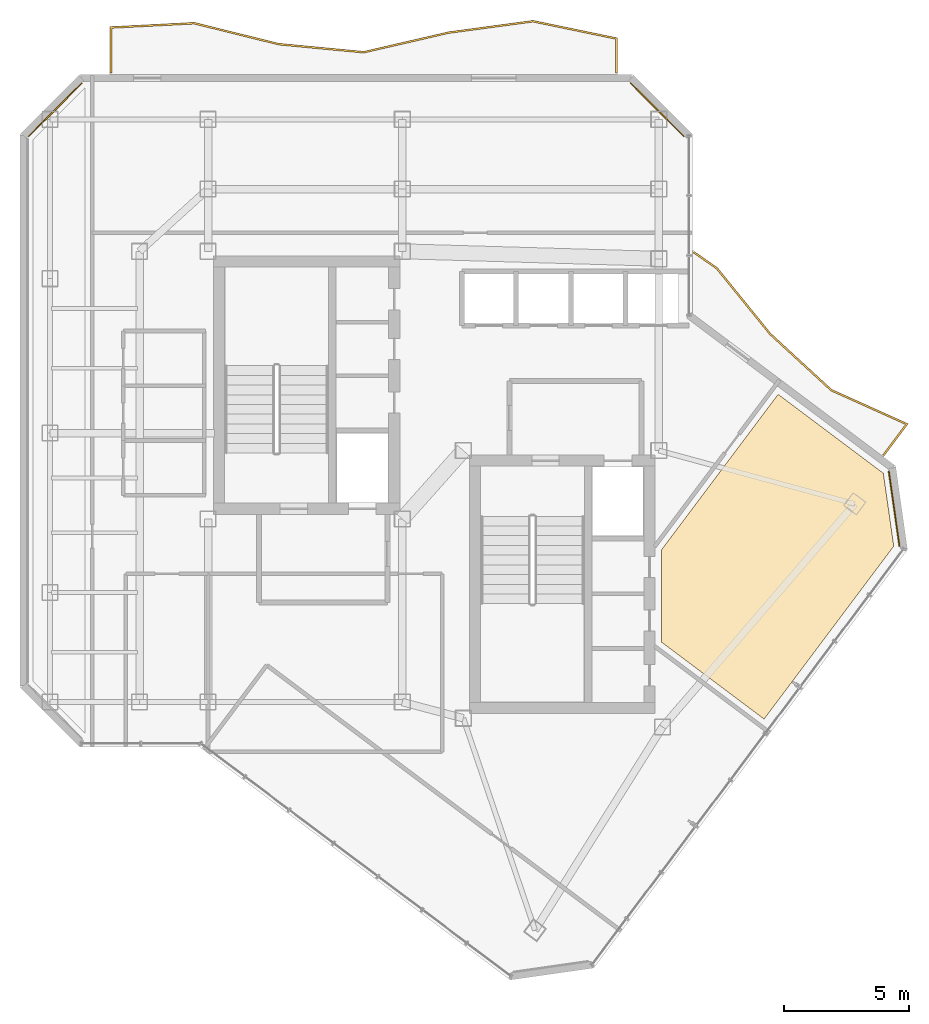
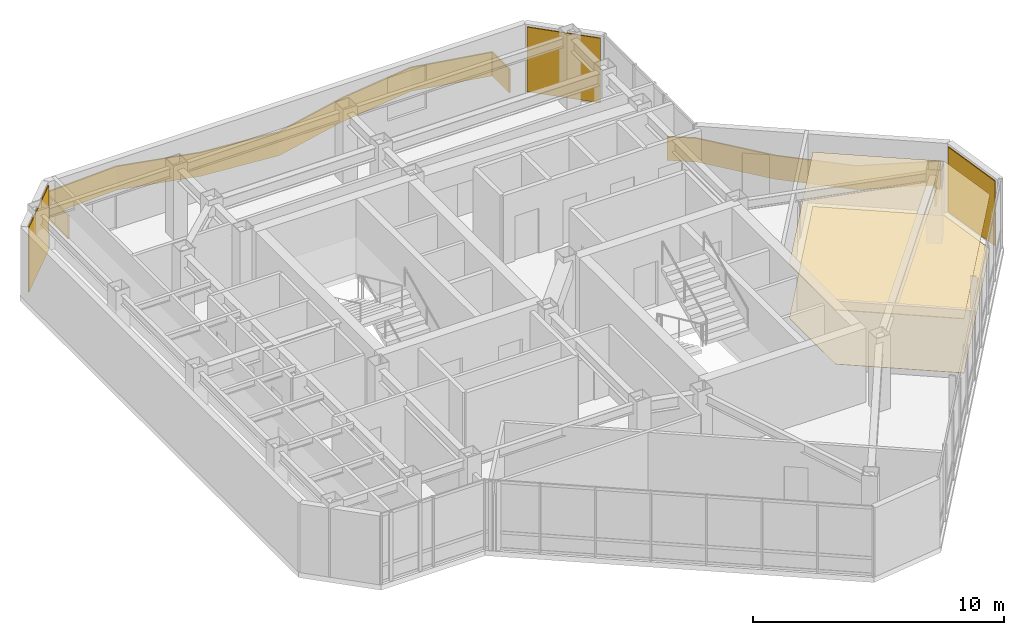
# One storey, part 18 of 18: 5 coverings, 2 railings.
"""IFC4 building model written with IfcOpenShell, lengths in metres."""

from ifc_helpers import new_model, si_unit, direction, frame, origin, origin_2d, place, context, subcontext, project, spatial, polyline, rectangle, outline, extrude, material, layer, layer_set, type_object, element, save


model = new_model("IFC4")

# Units and contexts
model_context = context("Model", 3, precision=1e-05, world=origin(), true_north=direction((0.0, 1.0)))
body_context = subcontext(model_context, "Body", "Model", "MODEL_VIEW")
ifc_project = project(units=[si_unit("LENGTHUNIT", "METRE"), si_unit("AREAUNIT", "SQUARE_METRE"), si_unit("VOLUMEUNIT", "CUBIC_METRE"), si_unit("PLANEANGLEUNIT", "RADIAN"), si_unit("MASSUNIT", "GRAM", prefix="KILO")], contexts=[model_context])

# Site, building, storey
site_placement = place(None, origin())
site = spatial("IfcSite", under=ifc_project, at=site_placement, CompositionType="ELEMENT")
building_placement = place(site_placement, origin())
building = spatial("IfcBuilding", under=site, at=building_placement, Name="Hatsunagi Terrace Concourse", CompositionType="ELEMENT")
storey_placement = place(building_placement, frame((0.0, 0.0, 250.35009765625)))
storey = spatial("IfcBuildingStorey", under=building, at=storey_placement, Name="L66", CompositionType="ELEMENT", Elevation=250.35009765625)

# Railings
ifc_material_1 = material(Name="Laminated Glass and Stainless Steel Guard", Category="steel")
ifc_layer_1 = layer(ifc_material_1, 0.070068359375)
ifc_layer_set_1 = layer_set([ifc_layer_1], Name="BalconyGlassGuardRail_1150")
railing_type = type_object("IfcRailingType", Name="BalconyGlassGuardRail_1150", PredefinedType="BALUSTRADE", material=ifc_layer_set_1)
railing_1_placement = place(storey_placement, origin())
element("IfcRailing", 1, at=railing_1_placement, inside=storey, type_object=railing_type, Name="Engawa Balcony Guard GRD-01 L66-BN-1", PredefinedType="BALUSTRADE", context=body_context, shape_type="SweptSolid", body=[
    extrude(outline(polyline([(21.614990234375, 50.449951171875), (21.68505859375, 50.449951171875), (21.68505859375, 52.251708984375), (24.99169921875, 52.421875), (28.385986328125, 51.581298828125), (31.805419921875, 51.256591796875), (35.21533203125, 52.04541015625), (38.5966796875, 52.50146484375), (41.9150390625, 51.8125), (41.9150390625, 50.449951171875), (41.985107421875, 50.449951171875), (41.985107421875, 51.869384765625), (38.599365234375, 52.572509765625), (35.20263671875, 52.114501953125), (31.800537109375, 51.327392578125), (28.39794921875, 51.650634765625), (24.998291015625, 52.4921875), (21.614990234375, 52.318115234375), (21.614990234375, 50.449951171875)])), origin(), (0.0, 0.0, 1.0), 1.14990234375),
])
railing_2_placement = place(storey_placement, origin())
element("IfcRailing", 2, at=railing_2_placement, inside=storey, type_object=railing_type, Name="Engawa Balcony Guard GRD-01 L66-BSE-1", PredefinedType="BALUSTRADE", context=body_context, shape_type="SweptSolid", body=[
    extrude(outline(polyline([(45.06591796875, 43.296630859375), (45.02587890625, 43.2392578125), (45.956787109375, 42.591064453125), (48.096435546875, 39.9541015625), (50.552490234375, 37.6953125), (53.552734375, 36.344970703125), (52.64208984375, 35.131103515625), (52.697998046875, 35.089111328125), (53.6611328125, 36.373046875), (50.591552734375, 37.754638671875), (48.147705078125, 40.001953125), (46.005126953125, 42.642822265625), (45.06591796875, 43.296630859375)])), origin(), (0.0, 0.0, 1.0), 1.14990234375),
])

# Coverings
ifc_material_2 = material(Name="Hardwood timber", Category="wood")
ifc_layer_2 = layer(ifc_material_2, 0.014892578125)
ifc_layer_set_2 = layer_set([ifc_layer_2], Name="HardwoodTimberFlooring_15")
covering_type_1 = type_object("IfcCoveringType", Name="HardwoodTimberFlooring_15", PredefinedType="FLOORING", material=ifc_layer_set_2)
covering_1_placement = place(storey_placement, origin())
element("IfcCovering", 3, at=covering_1_placement, inside=storey, type_object=covering_type_1, Name="Finished Flooring L66-1", PredefinedType="FLOORING", context=body_context, shape_type="SweptSolid", body=[
    extrude(outline(polyline([(52.666015625, 34.387939453125), (48.44189453125, 37.555908203125), (43.75, 31.300048828125), (43.75, 27.613037109375), (47.8759765625, 24.51806640625), (53.083984375, 31.4619140625), (52.666015625, 34.387939453125)])), origin(), (0.0, 0.0, 1.0), 0.014892578125),
])
ifc_material_3 = material(Name="Unglazed Warm Terracotta Rainscreen Tile", Category="masonry")
ifc_layer_3 = layer(ifc_material_3, 0.044921875)
ifc_layer_set_3 = layer_set([ifc_layer_3], Name="TerracottaRainscreenCladding_45")
covering_type_2 = type_object("IfcCoveringType", Name="TerracottaRainscreenCladding_45", PredefinedType="CLADDING", material=ifc_layer_set_3)
for number, where, z_axis, x_axis, name in (
    (4, (53.10107421875, 32.9580078125, 0.099853515625), (0.0, 0.0, 1.0), (0.141250262458, -0.989973920543, 0.0), "Terracotta Rainscreen Cladding L66-02"),
    (5, (19.4140625, 48.986083984375, 0.099853515625), (0.0, 0.0, 1.0), (0.707106781187, 0.707106781187, 0.0), "Terracotta Rainscreen Cladding L66-09"),
    (6, (43.5859375, 48.986083984375, 0.099853515625), (0.0, 0.0, 1.0), (0.707106781187, -0.707106781187, 0.0), "Terracotta Rainscreen Cladding L66-11"),
):
    element("IfcCovering", number, at=place(storey_placement, frame(where, z_axis=z_axis, x_axis=x_axis)), inside=storey, type_object=covering_type_2, Name=name, PredefinedType="CLADDING", context=body_context, shape_type="SweptSolid", body=[
        extrude(rectangle(XDim=3.0380859375, YDim=0.044921875, at=origin_2d()), origin(), (0.0, 0.0, 1.0), 3.14990234375),
    ])
ifc_material_4 = material(Name="Hardwood timber", Category="wood")
ifc_layer_4 = layer(ifc_material_4, 0.034912109375)
ifc_layer_set_4 = layer_set([ifc_layer_4], Name="TimberBaffleCeiling_35")
covering_type_3 = type_object("IfcCoveringType", Name="TimberBaffleCeiling_35", PredefinedType="CEILING", material=ifc_layer_set_4)
covering_2_placement = place(storey_placement, frame((0.0, 0.0, 2.6298828125)))
element("IfcCovering", 7, at=covering_2_placement, inside=storey, type_object=covering_type_3, Name="Suspended Ceiling L66-1", PredefinedType="CEILING", context=body_context, shape_type="SweptSolid", body=[
    extrude(outline(polyline([(52.666015625, 34.387939453125), (48.44189453125, 37.555908203125), (43.75, 31.300048828125), (43.75, 27.613037109375), (47.8759765625, 24.51806640625), (53.083984375, 31.4619140625), (52.666015625, 34.387939453125)])), origin(), (0.0, 0.0, 1.0), 0.034912109375),
])

save(model, "model.ifc")
